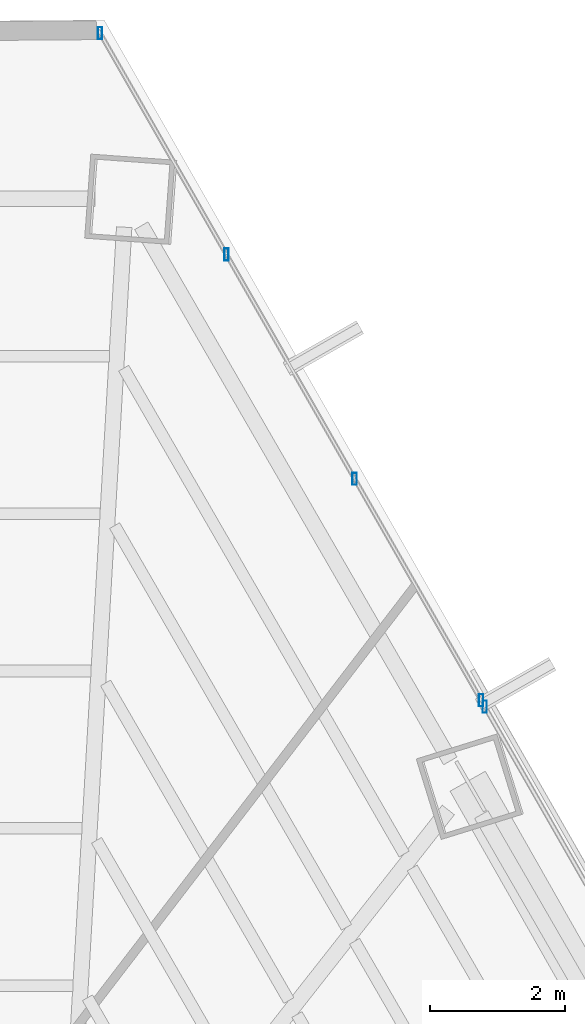
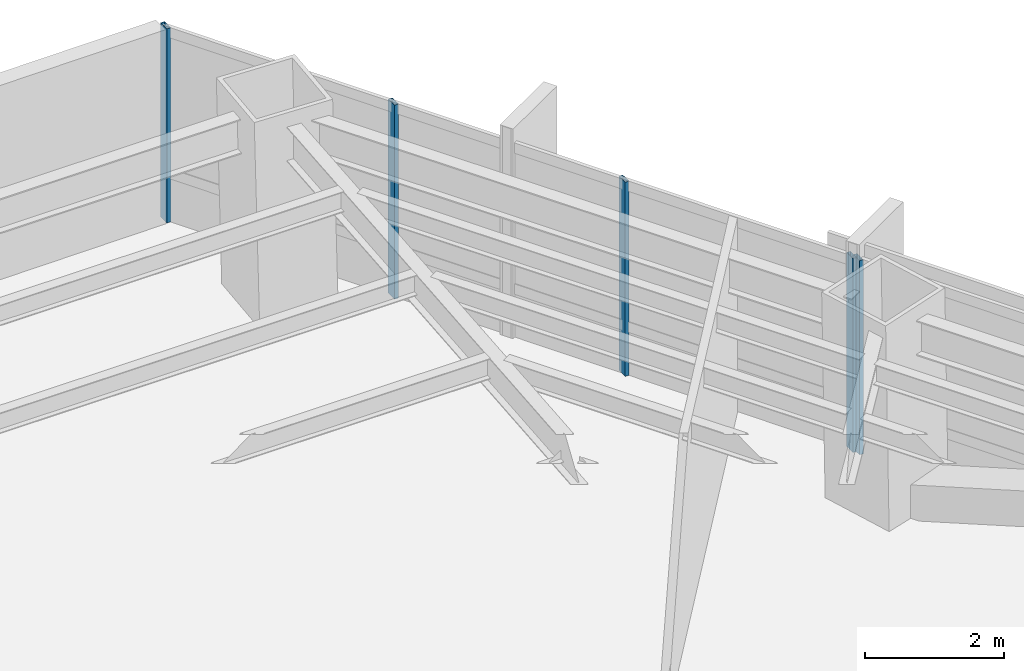
# One storey, part 28 of 36: 5 members, 2 elements without a shape of their own.
"""IFC4 building model written with IfcOpenShell, lengths in metres."""

from ifc_helpers import new_model, si_unit, direction, frame, origin, origin_2d, place, context, subcontext, project, spatial, hollow_rectangle, extrude, source, transform, mapped, material, material_profile, profile_set, type_object, type_shapes, element, aggregate, save


model = new_model("IFC4")

# Units and contexts
model_context = context("Model", 3, precision=1e-05, world=origin(), true_north=direction((0.0, 1.0)))
body_context = subcontext(model_context, "Body", "Model", "MODEL_VIEW")
ifc_project = project(units=[si_unit("LENGTHUNIT", "METRE"), si_unit("AREAUNIT", "SQUARE_METRE"), si_unit("VOLUMEUNIT", "CUBIC_METRE"), si_unit("PLANEANGLEUNIT", "RADIAN"), si_unit("MASSUNIT", "GRAM", prefix="KILO")], contexts=[model_context])

# Site, building, storey
site_placement = place(None, origin())
site = spatial("IfcSite", under=ifc_project, at=site_placement, CompositionType="ELEMENT")
building_placement = place(site_placement, origin())
building = spatial("IfcBuilding", under=site, at=building_placement, Name="Caelisora Broadcast Tower", CompositionType="ELEMENT")
storey_placement = place(building_placement, frame((0.0, 0.0, 60.449951171875)))
storey = spatial("IfcBuildingStorey", under=building, at=storey_placement, Name="L15", CompositionType="ELEMENT", Elevation=60.449951171875)

# Curtain wall, members
ifc_material_1 = material(Name="Unitised Aluminium and Low-E Glass Curtain Wall", Category="glass")
curtain_wall_type_1 = type_object("IfcCurtainWallType", Name="CW-Z1", PredefinedType="NOTDEFINED", material=ifc_material_1)
curtain_wall_1_placement = place(storey_placement, origin())
curtain_wall_1 = element("IfcCurtainWall", 1, at=curtain_wall_1_placement, inside=storey, type_object=curtain_wall_type_1, Name="L15 curtain wall CW-Z1", PredefinedType="NOTDEFINED")
ifc_material_2 = material(Name="Aluminium 6063-T6 Anodised Terracotta Bronze", Category="aluminium")
ifc_material_profile = material_profile(ifc_material_2, hollow_rectangle(XDim=0.06494140625, YDim=0.179931640625, WallThickness=0.00341796875, at=origin_2d()), Name="Aluminium 6063-T6 Anodised Terracotta Bronze")
ifc_profile_set = profile_set([ifc_material_profile], Name="Aluminium 6063-T6 Anodised Terracotta Bronze")
member_type = type_object("IfcMemberType", Name="CWM-02", PredefinedType="MULLION", material=ifc_profile_set)
shared_shape = source(origin(), body_context, "Body", "SweptSolid", [
    extrude(hollow_rectangle(XDim=0.06494140625, YDim=0.179931640625, WallThickness=0.00341796875, at=origin_2d()), origin(), (0.0, 0.0, 1.0), 3.400146484375),
])
type_shapes(member_type, [shared_shape])
member_1_placement = place(storey_placement, frame((46.056884765625, 48.794677734375, 0.0), z_axis=(0.0, 0.0, 1.0), x_axis=(1.0, 0.0, 0.0)))
member_1 = element("IfcMember", 2, at=member_1_placement, type_object=member_type, Name="L15-CW-B01 mullion #0", PredefinedType="MULLION", context=body_context, shape_type="MappedRepresentation", body=[
    mapped(shared_shape, transform((0.0, 0.0, 0.0), scale=1.0)),
])
member_2_placement = place(storey_placement, frame((47.93212890625, 45.511474609375, 0.0), z_axis=(0.0, 0.0, 1.0), x_axis=(1.0, 0.0, 0.0)))
member_2 = element("IfcMember", 3, at=member_2_placement, type_object=member_type, Name="L15-CW-B01 mullion #1", PredefinedType="MULLION", context=body_context, shape_type="MappedRepresentation", body=[
    mapped(shared_shape, transform((0.0, 0.0, 0.0), scale=1.0)),
])
member_3_placement = place(storey_placement, frame((49.83251953125, 42.184814453125, 0.0), z_axis=(0.0, 0.0, 1.0), x_axis=(1.0, 0.0, 0.0)))
member_3 = element("IfcMember", 4, at=member_3_placement, type_object=member_type, Name="L15-CW-B01 mullion #2", PredefinedType="MULLION", context=body_context, shape_type="MappedRepresentation", body=[
    mapped(shared_shape, transform((0.0, 0.0, 0.0), scale=1.0)),
])
member_4_placement = place(storey_placement, frame((51.707763671875, 38.90185546875, 0.0), z_axis=(0.0, 0.0, 1.0), x_axis=(1.0, 0.0, 0.0)))
member_4 = element("IfcMember", 5, at=member_4_placement, type_object=member_type, Name="L15-CW-B01 mullion #3", PredefinedType="MULLION", context=body_context, shape_type="MappedRepresentation", body=[
    mapped(shared_shape, transform((0.0, 0.0, 0.0), scale=1.0)),
])
aggregate(curtain_wall_1, [member_1, member_2, member_3, member_4])

# Curtain wall, member
ifc_material_3 = material(Name="Unitised Aluminium Insulated Shadow-Box Spandrel Curtain Wall", Category="aluminium")
curtain_wall_type_2 = type_object("IfcCurtainWallType", Name="CW-SP1", PredefinedType="NOTDEFINED", material=ifc_material_3)
curtain_wall_2_placement = place(storey_placement, origin())
curtain_wall_2 = element("IfcCurtainWall", 6, at=curtain_wall_2_placement, inside=storey, type_object=curtain_wall_type_2, Name="L15 curtain wall CW-SP1", PredefinedType="NOTDEFINED")
member_5_placement = place(storey_placement, frame((51.762451171875, 38.806396484375, 0.0), z_axis=(0.0, 0.0, 1.0), x_axis=(1.0, 0.0, 0.0)))
member_5 = element("IfcMember", 7, at=member_5_placement, type_object=member_type, Name="L15-CW-B02 mullion #0", PredefinedType="MULLION", context=body_context, shape_type="MappedRepresentation", body=[
    mapped(shared_shape, transform((0.0, 0.0, 0.0), scale=1.0)),
])
aggregate(curtain_wall_2, [member_5])

save(model, "model.ifc")
